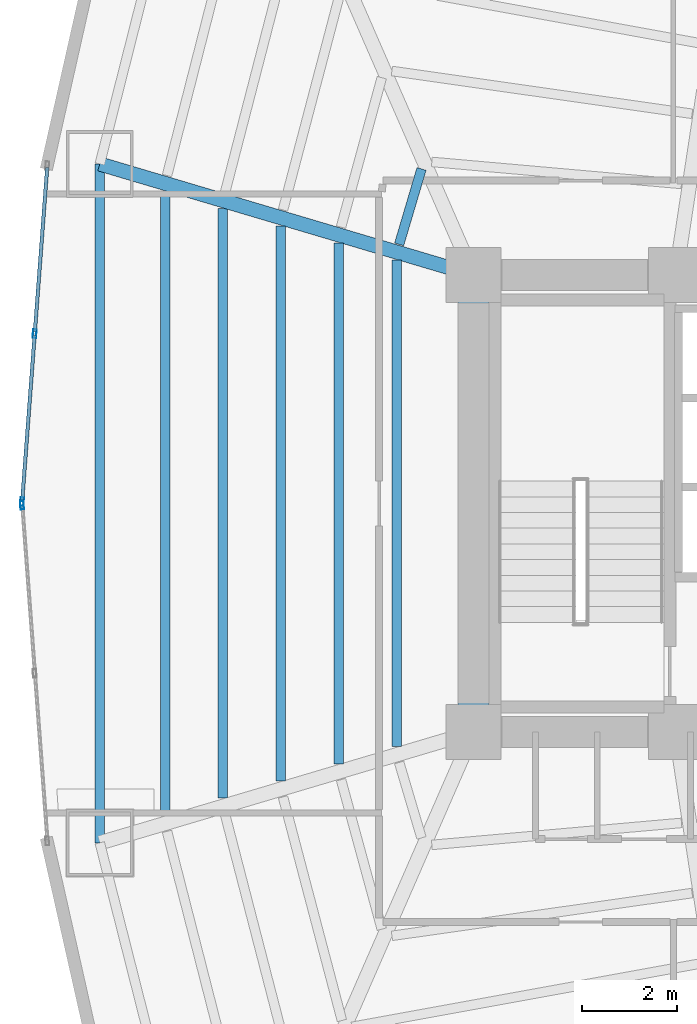
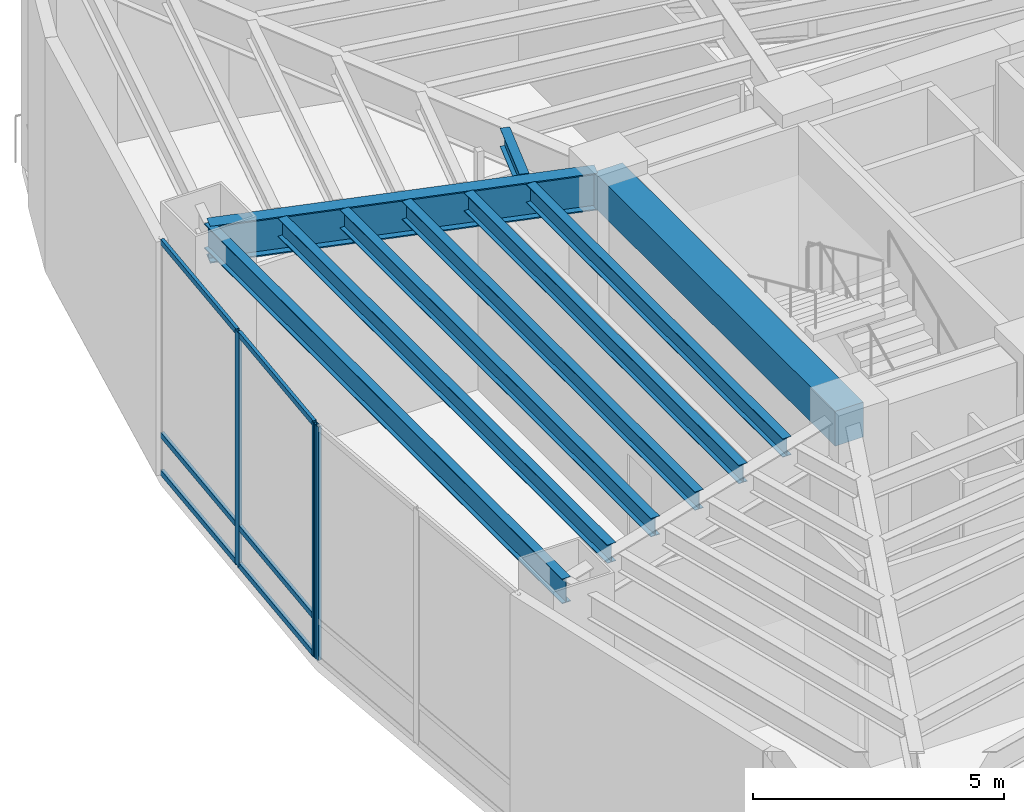
# One storey, part 7 of 19: 9 beams, 9 members, 2 elements without a shape of their own.
"""IFC4 building model written with IfcOpenShell, lengths in metres."""

from ifc_helpers import new_model, si_unit, direction, frame, origin, origin_2d, place, context, subcontext, project, spatial, rectangle, hollow_rectangle, i_section, extrude, material, layer, layer_set, material_profile, profile_set, type_object, element, aggregate, save


model = new_model("IFC4")

# Units and contexts
model_context = context("Model", 3, precision=1e-05, world=origin(), true_north=direction((0.0, 1.0)))
body_context = subcontext(model_context, "Body", "Model", "MODEL_VIEW")
ifc_project = project(units=[si_unit("LENGTHUNIT", "METRE"), si_unit("AREAUNIT", "SQUARE_METRE"), si_unit("VOLUMEUNIT", "CUBIC_METRE"), si_unit("PLANEANGLEUNIT", "RADIAN"), si_unit("MASSUNIT", "GRAM", prefix="KILO")], contexts=[model_context])

# Site, building, storey
site_placement = place(None, origin())
site = spatial("IfcSite", under=ifc_project, at=site_placement, CompositionType="ELEMENT")
building_placement = place(site_placement, origin())
building = spatial("IfcBuilding", under=site, at=building_placement, Name="Menara Vayukalpa", CompositionType="ELEMENT")
storey_placement = place(building_placement, frame((0.0, 0.0, 12.0)))
storey = spatial("IfcBuildingStorey", under=building, at=storey_placement, Name="L02", CompositionType="ELEMENT", Elevation=12.0)

# Beams
ifc_material_1 = material(Name="Concrete C60/75", Category="concrete")
ifc_material_profile_1 = material_profile(ifc_material_1, rectangle(XDim=0.64990234375, YDim=0.85009765625, at=origin_2d()), Name="RC 650x850")
ifc_profile_set_1 = profile_set([ifc_material_profile_1], Name="Concrete C60/75")
beam_type_1 = type_object("IfcBeamType", Name="BM-CB1", PredefinedType="BEAM", material=ifc_profile_set_1)
beam_1_placement = place(storey_placement, frame((17.800048828125, 17.199951171875, 5.2548828125), z_axis=(0.0, 1.0, 0.0), x_axis=(-1.0, 0.0, 0.0)))
element("IfcBeam", 1, at=beam_1_placement, inside=storey, type_object=beam_type_1, Name="L02 Core Tie Beam CBR7", PredefinedType="BEAM", context=body_context, shape_type="SweptSolid", body=[
    extrude(rectangle(XDim=0.64990234375, YDim=0.85009765625, at=origin_2d()), origin(), (0.0, 0.0, 1.0), 9.60009765625),
])
ifc_material_2 = material(Name="Steel S355", Category="steel")
ifc_material_profile_2 = material_profile(ifc_material_2, i_section(OverallWidth=0.300048828125, OverallDepth=0.89990234375, WebThickness=0.01611328125, FlangeThickness=0.028076171875, at=origin_2d()), Name="WF 900x300x16x28")
ifc_profile_set_2 = profile_set([ifc_material_profile_2], Name="Steel S355")
beam_type_2 = type_object("IfcBeamType", Name="BM-PG1", PredefinedType="BEAM", material=ifc_profile_set_2)
beam_2_placement = place(storey_placement, frame((17.560302734375, 26.87109375, 5.22998046875), z_axis=(-0.958678858065, 0.284490504409, 0.0), x_axis=(-0.284490504409, -0.958678858065, 0.0)))
element("IfcBeam", 2, at=beam_2_placement, inside=storey, type_object=beam_type_2, Name="L02 Primary Radial Girder RG05", PredefinedType="BEAM", context=body_context, shape_type="SweptSolid", body=[
    extrude(i_section(OverallWidth=0.300048828125, OverallDepth=0.89990234375, WebThickness=0.01611328125, FlangeThickness=0.028076171875, at=origin_2d()), origin(), (0.0, 0.0, 1.0), 7.936279296875),
])
ifc_material_3 = material(Name="Steel S355", Category="steel")
ifc_material_profile_3 = material_profile(ifc_material_3, i_section(OverallWidth=0.199951171875, OverallDepth=0.449951171875, WebThickness=0.009033203125, FlangeThickness=0.013916015625, at=origin_2d()), Name="WF 450x200x9x14")
ifc_profile_set_3 = profile_set([ifc_material_profile_3], Name="Steel S355")
beam_type_3 = type_object("IfcBeamType", Name="BM-SJ1", PredefinedType="JOIST", material=ifc_profile_set_3)
beam_3_placement = place(storey_placement, frame((16.70849609375, 29.0244140625, 5.455078125), z_axis=(-0.284173863657, -0.958772765161, 0.0), x_axis=(0.958772765161, -0.284173863657, 0.0)))
element("IfcBeam", 3, at=beam_3_placement, inside=storey, type_object=beam_type_3, Name="L02 Secondary Floor Joist SJ04-1", PredefinedType="JOIST", context=body_context, shape_type="SweptSolid", body=[
    extrude(i_section(OverallWidth=0.199951171875, OverallDepth=0.449951171875, WebThickness=0.009033203125, FlangeThickness=0.013916015625, at=origin_2d()), origin(), (0.0, 0.0, 1.0), 1.652099609375),
])
beam_4_placement = place(storey_placement, frame((16.19091796875, 27.107421875, 5.455078125), z_axis=(0.0, -1.0, 0.0), x_axis=(1.0, 0.0, 0.0)))
element("IfcBeam", 4, at=beam_4_placement, inside=storey, type_object=beam_type_3, Name="L02 Secondary Floor Joist SJ05-1", PredefinedType="JOIST", context=body_context, shape_type="SweptSolid", body=[
    extrude(i_section(OverallWidth=0.199951171875, OverallDepth=0.449951171875, WebThickness=0.009033203125, FlangeThickness=0.013916015625, at=origin_2d()), origin(), (0.0, 0.0, 1.0), 10.21484375),
])
beam_5_placement = place(storey_placement, frame((14.973388671875, 27.46875, 5.455078125), z_axis=(0.0, -1.0, 0.0), x_axis=(1.0, 0.0, 0.0)))
element("IfcBeam", 5, at=beam_5_placement, inside=storey, type_object=beam_type_3, Name="L02 Secondary Floor Joist SJ05-2", PredefinedType="JOIST", context=body_context, shape_type="SweptSolid", body=[
    extrude(i_section(OverallWidth=0.199951171875, OverallDepth=0.449951171875, WebThickness=0.009033203125, FlangeThickness=0.013916015625, at=origin_2d()), origin(), (0.0, 0.0, 1.0), 10.9375),
])
beam_6_placement = place(storey_placement, frame((13.756103515625, 27.830078125, 5.455078125), z_axis=(0.0, -1.0, 0.0), x_axis=(1.0, 0.0, 0.0)))
element("IfcBeam", 6, at=beam_6_placement, inside=storey, type_object=beam_type_3, Name="L02 Secondary Floor Joist SJ05-3", PredefinedType="JOIST", context=body_context, shape_type="SweptSolid", body=[
    extrude(i_section(OverallWidth=0.199951171875, OverallDepth=0.449951171875, WebThickness=0.009033203125, FlangeThickness=0.013916015625, at=origin_2d()), origin(), (0.0, 0.0, 1.0), 11.66015625),
])
beam_7_placement = place(storey_placement, frame((12.538818359375, 28.191162109375, 5.455078125), z_axis=(0.0, -1.0, 0.0), x_axis=(1.0, 0.0, 0.0)))
element("IfcBeam", 7, at=beam_7_placement, inside=storey, type_object=beam_type_3, Name="L02 Secondary Floor Joist SJ05-4", PredefinedType="JOIST", context=body_context, shape_type="SweptSolid", body=[
    extrude(i_section(OverallWidth=0.199951171875, OverallDepth=0.449951171875, WebThickness=0.009033203125, FlangeThickness=0.013916015625, at=origin_2d()), origin(), (0.0, 0.0, 1.0), 12.38232421875),
])
beam_8_placement = place(storey_placement, frame((11.321533203125, 28.552490234375, 5.455078125), z_axis=(0.0, -1.0, 0.0), x_axis=(1.0, 0.0, 0.0)))
element("IfcBeam", 8, at=beam_8_placement, inside=storey, type_object=beam_type_3, Name="L02 Secondary Floor Joist SJ05-5", PredefinedType="JOIST", context=body_context, shape_type="SweptSolid", body=[
    extrude(i_section(OverallWidth=0.199951171875, OverallDepth=0.449951171875, WebThickness=0.009033203125, FlangeThickness=0.013916015625, at=origin_2d()), origin(), (0.0, 0.0, 1.0), 13.10498046875),
])
ifc_material_4 = material(Name="Steel S355", Category="steel")
ifc_material_profile_4 = material_profile(ifc_material_4, i_section(OverallWidth=0.199951171875, OverallDepth=0.60009765625, WebThickness=0.010986328125, FlangeThickness=0.01708984375, at=origin_2d()), Name="WF 600x200x11x17")
ifc_profile_set_4 = profile_set([ifc_material_profile_4], Name="Steel S355")
beam_type_4 = type_object("IfcBeamType", Name="BM-SP1", PredefinedType="SPANDREL", material=ifc_profile_set_4)
beam_9_placement = place(storey_placement, frame((9.951904296875, 29.12890625, 5.3798828125), z_axis=(0.0, -1.0, 0.0), x_axis=(1.0, 0.0, 0.0)))
element("IfcBeam", 9, at=beam_9_placement, inside=storey, type_object=beam_type_4, Name="L02 Perimeter Spandrel Beam SP05", PredefinedType="SPANDREL", context=body_context, shape_type="SweptSolid", body=[
    extrude(i_section(OverallWidth=0.199951171875, OverallDepth=0.60009765625, WebThickness=0.010986328125, FlangeThickness=0.01708984375, at=origin_2d()), origin(), (0.0, 0.0, 1.0), 14.2578125),
])

# Curtain wall, members
ifc_material_5 = material(Name="Anodised Terracotta Aluminium Alloy 6063-T6", Category="masonry")
ifc_layer = layer(ifc_material_5, 0.179931640625)
ifc_layer_set = layer_set([ifc_layer], Name="Anodised Terracotta Aluminium Alloy 6063-T6")
curtain_wall_type = type_object("IfcCurtainWallType", Name="CW-CW1", PredefinedType="USERDEFINED", material=ifc_layer_set)
curtain_wall_1_placement = place(storey_placement, origin())
curtain_wall_1 = element("IfcCurtainWall", 10, at=curtain_wall_1_placement, inside=storey, type_object=curtain_wall_type, Name="L02 Podium Unitised Ribbon Curtain Wall CW1 10", ObjectType="UNITISED", PredefinedType="USERDEFINED")
ifc_material_6 = material(Name="Anodised Terracotta Aluminium Alloy 6063-T6", Category="masonry")
ifc_material_profile_5 = material_profile(ifc_material_6, hollow_rectangle(XDim=0.074951171875, YDim=0.179931640625, WallThickness=0.00390625, at=origin_2d()), Name="ALU 75x180x4")
ifc_profile_set_5 = profile_set([ifc_material_profile_5], Name="Anodised Terracotta Aluminium Alloy 6063-T6")
member_type_1 = type_object("IfcMemberType", Name="CWM-CW1", PredefinedType="MULLION", material=ifc_profile_set_5)
member_1_placement = place(storey_placement, frame((8.584716796875, 25.564453125, 0.0), z_axis=(0.0, 0.0, 1.0), x_axis=(0.997198970825, -0.074794468953, 0.0)))
member_1 = element("IfcMember", 11, at=member_1_placement, type_object=member_type_1, Name="CW1 mullion 2", PredefinedType="MULLION", context=body_context, shape_type="SweptSolid", body=[
    extrude(hollow_rectangle(XDim=0.074951171875, YDim=0.179931640625, WallThickness=0.00390625, at=origin_2d()), origin(), (0.0, 0.0, 1.0), 5.679931640625),
])
member_2_placement = place(storey_placement, frame((8.320068359375, 22.037353515625, 0.0), z_axis=(0.0, 0.0, 1.0), x_axis=(0.997198970825, -0.074794468953, 0.0)))
member_2 = element("IfcMember", 12, at=member_2_placement, type_object=member_type_1, Name="CW1 mullion 3", PredefinedType="MULLION", context=body_context, shape_type="SweptSolid", body=[
    extrude(hollow_rectangle(XDim=0.074951171875, YDim=0.179931640625, WallThickness=0.00390625, at=origin_2d()), origin(), (0.0, 0.0, 1.0), 5.679931640625),
])

# Curtain wall, member
curtain_wall_2_placement = place(storey_placement, origin())
curtain_wall_2 = element("IfcCurtainWall", 13, at=curtain_wall_2_placement, inside=storey, type_object=curtain_wall_type, Name="L02 Podium Unitised Ribbon Curtain Wall CW1 11", ObjectType="UNITISED", PredefinedType="USERDEFINED")
member_3_placement = place(storey_placement, frame((8.320068359375, 21.962646484375, 0.0), z_axis=(0.0, 0.0, 1.0), x_axis=(0.997198970825, 0.074794468953, 0.0)))
member_3 = element("IfcMember", 14, at=member_3_placement, type_object=member_type_1, Name="CW1 mullion 1", PredefinedType="MULLION", context=body_context, shape_type="SweptSolid", body=[
    extrude(hollow_rectangle(XDim=0.074951171875, YDim=0.179931640625, WallThickness=0.00390625, at=origin_2d()), origin(), (0.0, 0.0, 1.0), 5.679931640625),
])
aggregate(curtain_wall_2, [member_3])

# Member
ifc_material_7 = material(Name="Anodised Terracotta Aluminium Alloy 6063-T6", Category="masonry")
ifc_material_profile_6 = material_profile(ifc_material_7, hollow_rectangle(XDim=0.074951171875, YDim=0.135009765625, WallThickness=0.00390625, at=origin_2d()), Name="ALU 75x135x4")
ifc_profile_set_6 = profile_set([ifc_material_profile_6], Name="Anodised Terracotta Aluminium Alloy 6063-T6")
member_type_2 = type_object("IfcMemberType", Name="CWT-CW1", PredefinedType="USERDEFINED", material=ifc_profile_set_6)
member_4_placement = place(storey_placement, frame((8.846435546875, 29.05419921875, 0.03759765625), z_axis=(-0.07481975078, -0.99719707425, 0.0), x_axis=(0.99719707425, -0.07481975078, 0.0)))
member_4 = element("IfcMember", 15, at=member_4_placement, type_object=member_type_2, Name="CW1 transom 1.1", ObjectType="TRANSOM", PredefinedType="USERDEFINED", context=body_context, shape_type="SweptSolid", body=[
    extrude(hollow_rectangle(XDim=0.074951171875, YDim=0.135009765625, WallThickness=0.00390625, at=origin_2d()), origin(), (0.0, 0.0, 1.0), 3.462158203125),
])

member_5_placement = place(storey_placement, frame((8.846435546875, 29.05419921875, 0.949951171875), z_axis=(-0.07481975078, -0.99719707425, 0.0), x_axis=(0.99719707425, -0.07481975078, 0.0)))
member_5 = element("IfcMember", 16, at=member_5_placement, type_object=member_type_2, Name="CW1 transom 1.2", ObjectType="TRANSOM", PredefinedType="USERDEFINED", context=body_context, shape_type="SweptSolid", body=[
    extrude(hollow_rectangle(XDim=0.074951171875, YDim=0.135009765625, WallThickness=0.00390625, at=origin_2d()), origin(), (0.0, 0.0, 1.0), 3.462158203125),
])

member_6_placement = place(storey_placement, frame((8.846435546875, 29.05419921875, 5.642578125), z_axis=(-0.07481975078, -0.99719707425, 0.0), x_axis=(0.99719707425, -0.07481975078, 0.0)))
member_6 = element("IfcMember", 17, at=member_6_placement, type_object=member_type_2, Name="CW1 transom 1.3", ObjectType="TRANSOM", PredefinedType="USERDEFINED", context=body_context, shape_type="SweptSolid", body=[
    extrude(hollow_rectangle(XDim=0.074951171875, YDim=0.135009765625, WallThickness=0.00390625, at=origin_2d()), origin(), (0.0, 0.0, 1.0), 3.462158203125),
])

member_7_placement = place(storey_placement, frame((8.581787109375, 25.527099609375, 0.03759765625), z_axis=(-0.074749626841, -0.997202333174, 0.0), x_axis=(0.997202333174, -0.074749626841, 0.0)))
member_7 = element("IfcMember", 18, at=member_7_placement, type_object=member_type_2, Name="CW1 transom 2.1", ObjectType="TRANSOM", PredefinedType="USERDEFINED", context=body_context, shape_type="SweptSolid", body=[
    extrude(hollow_rectangle(XDim=0.074951171875, YDim=0.135009765625, WallThickness=0.00390625, at=origin_2d()), origin(), (0.0, 0.0, 1.0), 3.462158203125),
])

member_8_placement = place(storey_placement, frame((8.581787109375, 25.527099609375, 0.949951171875), z_axis=(-0.074749626841, -0.997202333174, 0.0), x_axis=(0.997202333174, -0.074749626841, 0.0)))
member_8 = element("IfcMember", 19, at=member_8_placement, type_object=member_type_2, Name="CW1 transom 2.2", ObjectType="TRANSOM", PredefinedType="USERDEFINED", context=body_context, shape_type="SweptSolid", body=[
    extrude(hollow_rectangle(XDim=0.074951171875, YDim=0.135009765625, WallThickness=0.00390625, at=origin_2d()), origin(), (0.0, 0.0, 1.0), 3.462158203125),
])

member_9_placement = place(storey_placement, frame((8.581787109375, 25.527099609375, 5.642578125), z_axis=(-0.074749626841, -0.997202333174, 0.0), x_axis=(0.997202333174, -0.074749626841, 0.0)))
member_9 = element("IfcMember", 20, at=member_9_placement, type_object=member_type_2, Name="CW1 transom 2.3", ObjectType="TRANSOM", PredefinedType="USERDEFINED", context=body_context, shape_type="SweptSolid", body=[
    extrude(hollow_rectangle(XDim=0.074951171875, YDim=0.135009765625, WallThickness=0.00390625, at=origin_2d()), origin(), (0.0, 0.0, 1.0), 3.462158203125),
])

aggregate(curtain_wall_1, [member_1, member_2, member_4, member_5, member_6, member_7, member_8, member_9])

save(model, "model.ifc")
